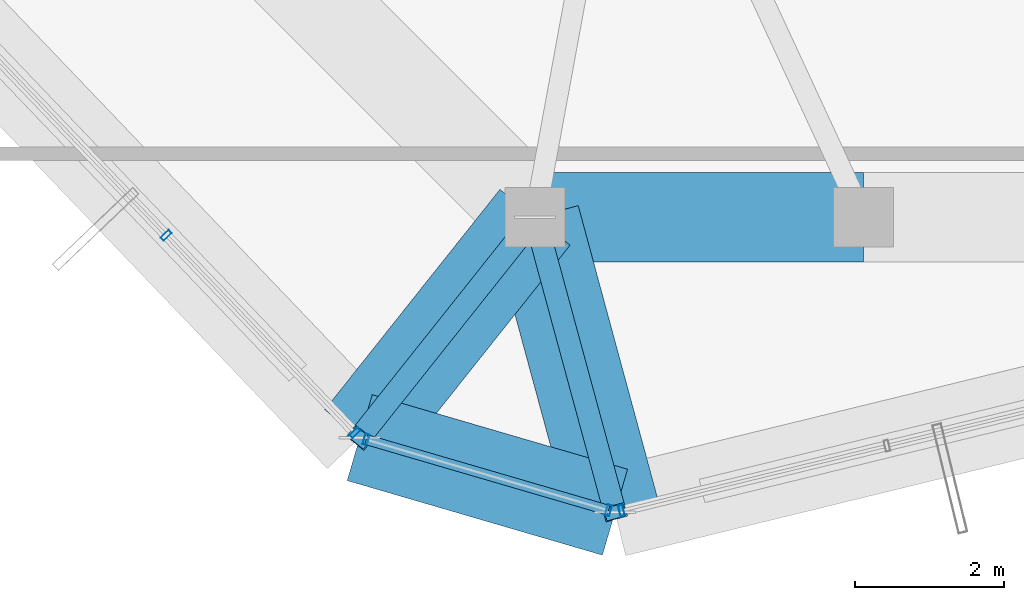
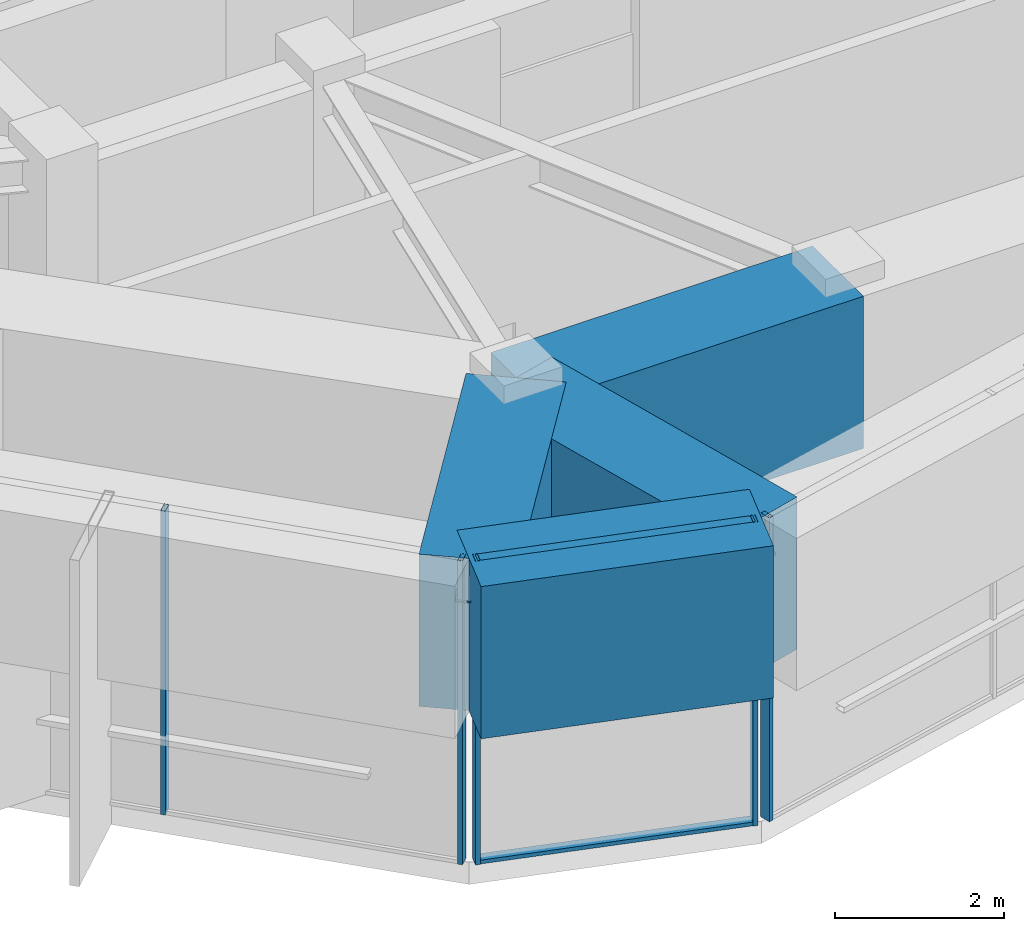
# One storey, part 4 of 39: 9 members, 4 beams, 3 elements without a shape of their own.
"""IFC4 building model written with IfcOpenShell, lengths in metres."""

import ifcopenshell
import ifcopenshell.guid

model = None  # the IFC model being written
_history = None  # IfcOwnerHistory: only IFC2X3 demands one
_inside = {}  # id of a spatial element -> (the spatial element, [elements in it])
_under = {}  # id of a project, library or spatial element -> (it, [spatial elements below it])
_declared = {}  # id of a project -> (the project, [libraries it declares])
_typed = {}  # id of a type object -> (the type object, [elements of that type])
_made_of = {}  # id of a material, layer set ... -> (it, [elements and type objects made of it])


def new_model(schema):
    """Start an empty IFC model of exactly this schema.

    Asked for "IFC4X3", IfcOpenShell would pick the latest addendum, in which some entities
    have other attributes; the version numbers below select the first issue.
    IFC2X3 requires an IfcOwnerHistory on every rooted entity: one is made here for all.
    """
    global model, _history
    if schema == "IFC4X3":
        model = ifcopenshell.file(schema_version=(4, 3, 0, 0))
    else:
        model = ifcopenshell.file(schema=schema)
    _inside.clear()
    _under.clear()
    _declared.clear()
    _typed.clear()
    _made_of.clear()
    _history = None
    if model.schema == "IFC2X3":
        org = make("IfcOrganization", Name="unknown")
        user = make(
            "IfcPersonAndOrganization",
            ThePerson=make("IfcPerson", FamilyName="unknown"),
            TheOrganization=org,
        )
        app = make(
            "IfcApplication",
            ApplicationDeveloper=org,
            Version="unknown",
            ApplicationFullName="unknown",
            ApplicationIdentifier="unknown",
        )
        _history = make(
            "IfcOwnerHistory",
            OwningUser=user,
            OwningApplication=app,
            ChangeAction="ADDED",
            CreationDate=0,
        )
    return model


def make(cls, **values):
    """One entity of the class cls with the attributes given. An attribute that is None is left unset."""
    return model.create_entity(
        cls, **{name: value for name, value in values.items() if value is not None}
    )


def rooted(cls, **values):
    """An entity with a GlobalId (a new one), such as an element, a storey or a relation."""
    return make(cls, GlobalId=ifcopenshell.guid.new(), OwnerHistory=_history, **values)


def si_unit(unit_type, name, prefix=None):
    """IfcSIUnit, for example si_unit("LENGTHUNIT", "METRE", prefix="MILLI")."""
    return make("IfcSIUnit", UnitType=unit_type, Prefix=prefix, Name=name)


def assignment(units):
    """IfcUnitAssignment: the units of a project."""
    return None if units is None else make("IfcUnitAssignment", Units=units)


def point(xyz):
    """IfcCartesianPoint."""
    return None if xyz is None else make("IfcCartesianPoint", Coordinates=xyz)


def direction(xyz):
    """IfcDirection."""
    return None if xyz is None else make("IfcDirection", DirectionRatios=xyz)


def frame(location, z_axis=None, x_axis=None):
    """IfcAxis2Placement3D, a coordinate frame: its origin and axes. An axis left out is left unset."""
    return make(
        "IfcAxis2Placement3D",
        Location=point(location),
        Axis=direction(z_axis),
        RefDirection=direction(x_axis),
    )


def frame_2d(location, x_axis=None):
    """IfcAxis2Placement2D, a coordinate frame in the plane: its origin and x axis."""
    return make(
        "IfcAxis2Placement2D", Location=point(location), RefDirection=direction(x_axis)
    )


def origin():
    """The frame at (0, 0, 0) with its axes left unset."""
    return frame((0.0, 0.0, 0.0))


def origin_2d():
    """The frame at (0, 0) in the plane with its x axis left unset."""
    return frame_2d((0.0, 0.0))


def place(relative_to, where):
    """IfcLocalPlacement: puts the frame where relative to a parent placement (None: the world)."""
    return make(
        "IfcLocalPlacement", PlacementRelTo=relative_to, RelativePlacement=where
    )


def context(
    kind, dimensions, precision=None, world=None, true_north=None, identifier=None
):
    """IfcGeometricRepresentationContext, for example the 3D "Model" context."""
    return make(
        "IfcGeometricRepresentationContext",
        ContextIdentifier=identifier,
        ContextType=kind,
        CoordinateSpaceDimension=dimensions,
        Precision=precision,
        WorldCoordinateSystem=world,
        TrueNorth=true_north,
    )


def subcontext(parent, identifier, kind, view, scale=None):
    """IfcGeometricRepresentationSubContext, for example "Body" below "Model"."""
    return make(
        "IfcGeometricRepresentationSubContext",
        ContextIdentifier=identifier,
        ContextType=kind,
        ParentContext=parent,
        TargetScale=scale,
        TargetView=view,
    )


def project(units=None, contexts=None):
    """IfcProject with its units and contexts."""
    return rooted(
        "IfcProject",
        Name="project",
        RepresentationContexts=contexts,
        UnitsInContext=assignment(units),
    )


def spatial(cls, under=None, at=None, **own):
    """A site, building, storey or space (cls), placed at a placement, below another one or the project."""
    s = rooted(cls, ObjectPlacement=at, **own)
    if under is not None:
        _under.setdefault(under.id(), (under, []))[1].append(s)
    return s


def profile(cls, at=None, kind="AREA", **sizes):
    """A parametric profile (cls). Its sizes go by their IFC names, for example OverallWidth=200.0."""
    return make(cls, ProfileType=kind, Position=at, **sizes)


def rectangle(**sizes):
    """IfcRectangleProfileDef."""
    return profile("IfcRectangleProfileDef", **sizes)


def hollow_rectangle(**sizes):
    """IfcRectangleHollowProfileDef."""
    return profile("IfcRectangleHollowProfileDef", **sizes)


def extrude(swept, where, along, depth):
    """IfcExtrudedAreaSolid: the profile swept, set in the frame where, extruded along a direction by depth."""
    return make(
        "IfcExtrudedAreaSolid",
        SweptArea=swept,
        Position=where,
        ExtrudedDirection=direction(along),
        Depth=depth,
    )


def shape(context_of_items, identifier, shape_type, items):
    """IfcShapeRepresentation: the items that make up one representation, for example the "Body"."""
    return make(
        "IfcShapeRepresentation",
        ContextOfItems=context_of_items,
        RepresentationIdentifier=identifier,
        RepresentationType=shape_type,
        Items=items,
    )


def source(mapping_origin, context_of_items, identifier, shape_type, items):
    """IfcRepresentationMap: a shape defined once, which mapped items show again and again."""
    return make(
        "IfcRepresentationMap",
        MappingOrigin=mapping_origin,
        MappedRepresentation=shape(context_of_items, identifier, shape_type, items),
    )


def transform(
    local_origin,
    x_axis=None,
    y_axis=None,
    z_axis=None,
    scale=None,
    scale2=None,
    scale3=None,
    uniform=True,
):
    """IfcCartesianTransformationOperator3D, or its non-uniform kind. x_axis, y_axis, z_axis: its Axis1, 2, 3."""
    if uniform:
        return make(
            "IfcCartesianTransformationOperator3D",
            Axis1=direction(x_axis),
            Axis2=direction(y_axis),
            LocalOrigin=point(local_origin),
            Scale=scale,
            Axis3=direction(z_axis),
        )
    return make(
        "IfcCartesianTransformationOperator3DnonUniform",
        Axis1=direction(x_axis),
        Axis2=direction(y_axis),
        LocalOrigin=point(local_origin),
        Scale=scale,
        Axis3=direction(z_axis),
        Scale2=scale2,
        Scale3=scale3,
    )


def mapped(mapping_source, mapping_target):
    """IfcMappedItem: shows the shape of a source again, moved by a transform."""
    return make(
        "IfcMappedItem", MappingSource=mapping_source, MappingTarget=mapping_target
    )


def material(Name=None, Category=None):
    """IfcMaterial."""
    return make("IfcMaterial", Name=Name, Category=Category)


def layer(
    of_material, thickness, ventilated=None, Name=None, Category=None, Priority=None
):
    """IfcMaterialLayer: one layer of a wall or slab, of a material (None: an air gap)."""
    return make(
        "IfcMaterialLayer",
        Material=of_material,
        LayerThickness=thickness,
        IsVentilated=ventilated,
        Name=Name,
        Category=Category,
        Priority=Priority,
    )


def layer_set(layers, Name=None):
    """IfcMaterialLayerSet."""
    return make("IfcMaterialLayerSet", MaterialLayers=layers, LayerSetName=Name)


def material_profile(
    of_material, cross_section, Name=None, Category=None, Priority=None
):
    """IfcMaterialProfile: a cross section and its material."""
    return make(
        "IfcMaterialProfile",
        Name=Name,
        Material=of_material,
        Profile=cross_section,
        Priority=Priority,
        Category=Category,
    )


def profile_set(profiles, Name=None, composite=None):
    """IfcMaterialProfileSet."""
    return make(
        "IfcMaterialProfileSet",
        Name=Name,
        MaterialProfiles=profiles,
        CompositeProfile=composite,
    )


def made_of(thing, what):
    """Note that an element or type object is made of a material, layer set ...; save() writes the relation."""
    if what is not None:
        _made_of.setdefault(what.id(), (what, []))[1].append(thing)
    return thing


def type_object(cls, material=None, **own):
    """A type object (cls), such as IfcWallType, which elements share."""
    return made_of(rooted(cls, **own), material)


def element(
    cls,
    number,
    at=None,
    inside=None,
    cuts=None,
    type_object=None,
    material=None,
    context=None,
    identifier="Body",
    shape_type=None,
    held_by="IfcProductDefinitionShape",
    body=None,
    shapes=None,
    **own,
):
    """One element of the class cls, such as IfcWall. Its Tag is "e" and its number.

    at: its placement. inside: the storey or other place that contains it. cuts: it is an
    opening in that element (IfcRelVoidsElement). A single representation is given by context,
    identifier, shape_type and body (its items); several are given by shapes. held_by: the class
    of the entity that holds the representations. save() writes the other relations.
    """
    e = rooted(cls, Tag="e%d" % number, ObjectPlacement=at, **own)
    if body is not None:
        shapes = [shape(context, identifier, shape_type, body)]
    if shapes is not None:
        e.Representation = make(held_by, Representations=shapes)
    if inside is not None:
        _inside.setdefault(inside.id(), (inside, []))[1].append(e)
    if cuts is not None:
        rooted(
            "IfcRelVoidsElement", RelatingBuildingElement=cuts, RelatedOpeningElement=e
        )
    if type_object is not None:
        _typed.setdefault(type_object.id(), (type_object, []))[1].append(e)
    return made_of(e, material)


def aggregate(whole, parts):
    """IfcRelAggregates: a whole, such as a stair, and the parts it consists of."""
    return rooted("IfcRelAggregates", RelatingObject=whole, RelatedObjects=parts)


def save(model, path):
    """Write the relations noted so far, then the file.

    IfcRelAggregates (storeys below a building ...), IfcRelContainedInSpatialStructure (elements
    in a storey), IfcRelDefinesByType, IfcRelAssociatesMaterial and IfcRelDeclares: one each for
    every whole, place, type object, material and project.
    """
    for whole, parts in _under.values():
        aggregate(whole, parts)
    for where, things in _inside.values():
        rooted(
            "IfcRelContainedInSpatialStructure",
            RelatedElements=things,
            RelatingStructure=where,
        )
    for kind, things in _typed.values():
        rooted("IfcRelDefinesByType", RelatedObjects=things, RelatingType=kind)
    for what, things in _made_of.values():
        rooted("IfcRelAssociatesMaterial", RelatedObjects=things, RelatingMaterial=what)
    for by, libraries in _declared.values():
        rooted("IfcRelDeclares", RelatingContext=by, RelatedDefinitions=libraries)
    model.write(path)


model = new_model("IFC4")

# Units and contexts
model_context = context("Model", 3, precision=1e-05, world=origin(), true_north=direction((0.0, 1.0)))
body_context = subcontext(model_context, "Body", "Model", "MODEL_VIEW")
ifc_project = project(units=[si_unit("LENGTHUNIT", "METRE"), si_unit("AREAUNIT", "SQUARE_METRE"), si_unit("VOLUMEUNIT", "CUBIC_METRE"), si_unit("PLANEANGLEUNIT", "RADIAN"), si_unit("MASSUNIT", "GRAM", prefix="KILO")], contexts=[model_context])

# Site, building, storey
site_placement = place(None, origin())
site = spatial("IfcSite", under=ifc_project, at=site_placement, CompositionType="ELEMENT")
building_placement = place(site_placement, origin())
building = spatial("IfcBuilding", under=site, at=building_placement, Name="Veraguas Prism Commons", CompositionType="ELEMENT")
storey_placement = place(building_placement, frame((0.0, 0.0, 264.25)))
storey = spatial("IfcBuildingStorey", under=building, at=storey_placement, Name="L75", CompositionType="ELEMENT", Elevation=264.25)

# Beams
ifc_material_1 = material(Name="Concrete C50/60", Category="concrete")
ifc_material_profile_1 = material_profile(ifc_material_1, rectangle(XDim=1.199951171875, YDim=2.199951171875, at=origin_2d()), Name="RC1200X2200")
ifc_profile_set_1 = profile_set([ifc_material_profile_1], Name="Concrete C50/60")
beam_type = type_object("IfcBeamType", Name="Podium Transfer Girder RC 1200x2200", PredefinedType="BEAM", material=ifc_profile_set_1)
beam_1_placement = place(storey_placement, frame((19.60009765625, 10.199951171875, 3.2900390625), z_axis=(1.0, 0.0, 0.0), x_axis=(0.0, 1.0, 0.0)))
element("IfcBeam", 1, at=beam_1_placement, inside=storey, type_object=beam_type, Name="Perimeter Spandrel Beam L75-SP10", PredefinedType="BEAM", context=body_context, shape_type="SweptSolid", body=[
    extrude(rectangle(XDim=1.199951171875, YDim=2.199951171875, at=origin_2d()), origin(), (0.0, 0.0, 1.0), 4.39990234375),
])
beam_2_placement = place(storey_placement, frame((19.60009765625, 10.199951171875, 3.2900390625), z_axis=(-0.622521763744, -0.782602487643, 0.0), x_axis=(0.782602487643, -0.622521763744, 0.0)))
element("IfcBeam", 2, at=beam_2_placement, inside=storey, type_object=beam_type, Name="Crown Rib Support Girder L75-09", PredefinedType="BEAM", context=body_context, shape_type="SweptSolid", body=[
    extrude(rectangle(XDim=1.199951171875, YDim=2.199951171875, at=origin_2d()), origin(), (0.0, 0.0, 1.0), 3.771484375),
])
beam_3_placement = place(storey_placement, frame((17.252197265625, 7.248291015625, 3.2900390625), z_axis=(0.959914757728, -0.280292093889, 0.0), x_axis=(0.280292093889, 0.959914757728, 0.0)))
element("IfcBeam", 3, at=beam_3_placement, inside=storey, type_object=beam_type, Name="Crown Base Ring Beam L75-09", PredefinedType="BEAM", context=body_context, shape_type="SweptSolid", body=[
    extrude(rectangle(XDim=1.199951171875, YDim=2.199951171875, at=origin_2d()), origin(), (0.0, 0.0, 1.0), 3.5625),
])
beam_4_placement = place(storey_placement, frame((19.60009765625, 10.199951171875, 3.2900390625), z_axis=(0.261855392899, -0.96510712007, 0.0), x_axis=(0.96510712007, 0.261855392899, 0.0)))
element("IfcBeam", 4, at=beam_4_placement, inside=storey, type_object=beam_type, Name="Crown Rib Support Girder L75-10", PredefinedType="BEAM", context=body_context, shape_type="SweptSolid", body=[
    extrude(rectangle(XDim=1.199951171875, YDim=2.199951171875, at=origin_2d()), origin(), (0.0, 0.0, 1.0), 4.093017578125),
])

# Members
ifc_material_2 = material(Name="Steel ASTM A500 Grade C", Category="steel")
ifc_material_profile_2 = material_profile(ifc_material_2, hollow_rectangle(XDim=0.300048828125, YDim=0.300048828125, WallThickness=0.01611328125, at=origin_2d()), Name="HSS300X300X16")
ifc_profile_set_2 = profile_set([ifc_material_profile_2], Name="Steel ASTM A500 Grade C")
member_type_1 = type_object("IfcMemberType", Name="Sky Pool Bracket Strut HSS 300x300x16", PredefinedType="STRUT", material=ifc_profile_set_2)
member_1_placement = place(storey_placement, frame((19.60009765625, 10.199951171875, 0.60009765625), z_axis=(-0.466056126189, -0.585901899306, 0.662955995245), x_axis=(0.782602487643, -0.622521763744, 0.0)))
element("IfcMember", 5, at=member_1_placement, inside=storey, type_object=member_type_1, Name="Crown Base Raker Strut L75-09", PredefinedType="STRUT", context=body_context, shape_type="SweptSolid", body=[
    extrude(hollow_rectangle(XDim=0.300048828125, YDim=0.300048828125, WallThickness=0.01611328125, at=origin_2d()), origin(), (0.0, 0.0, 1.0), 5.037841796875),
])
member_2_placement = place(storey_placement, frame((19.60009765625, 10.199951171875, 0.60009765625), z_axis=(0.202882980065, -0.747755493726, 0.632218489133), x_axis=(0.96510712007, 0.261855392899, 0.0)))
element("IfcMember", 6, at=member_2_placement, inside=storey, type_object=member_type_1, Name="Crown Base Raker Strut L75-10", PredefinedType="STRUT", context=body_context, shape_type="SweptSolid", body=[
    extrude(hollow_rectangle(XDim=0.300048828125, YDim=0.300048828125, WallThickness=0.01611328125, at=origin_2d()), origin(), (0.0, 0.0, 1.0), 5.28271484375),
])

# Curtain wall, members
ifc_material_3 = material(Name="Anodised aluminium EN AW-6063 T6", Category="aluminium")
ifc_layer = layer(ifc_material_3, 0.14990234375, Name="Unitised Flush Curtain Wall Zone 4", Category="aluminium")
ifc_layer_set = layer_set([ifc_layer], Name="Anodised aluminium EN AW-6063 T6")
curtain_wall_type = type_object("IfcCurtainWallType", Name="Unitised Flush Curtain Wall Zone 4", PredefinedType="NOTDEFINED", material=ifc_layer_set)
curtain_wall_1_placement = place(storey_placement, origin())
curtain_wall_1 = element("IfcCurtainWall", 7, at=curtain_wall_1_placement, inside=storey, type_object=curtain_wall_type, Name="Chamfer Curtain Wall L75-C5", PredefinedType="NOTDEFINED")
ifc_material_profile_3 = material_profile(ifc_material_3, hollow_rectangle(XDim=0.054931640625, YDim=0.135009765625, WallThickness=0.0029296875, at=origin_2d()), Name="AL55X135X3")
ifc_profile_set_3 = profile_set([ifc_material_profile_3], Name="Anodised aluminium EN AW-6063 T6")
member_type_2 = type_object("IfcMemberType", Name="Curtain Wall Transom Standard AL 55x135x3", PredefinedType="USERDEFINED", material=ifc_profile_set_3)
shared_shape_1 = source(origin(), body_context, "Body", "SweptSolid", [
    extrude(hollow_rectangle(XDim=0.054931640625, YDim=0.135009765625, WallThickness=0.0029296875, at=origin_2d()), origin(), (0.0, 0.0, 1.0), 3.382568359375),
])
member_3_placement = place(storey_placement, frame((17.338623046875, 7.22314453125, 0.027587890625), z_axis=(0.959900506508, -0.280340895351, 0.0), x_axis=(0.0, 0.0, 1.0)))
member_3 = element("IfcMember", 8, at=member_3_placement, type_object=member_type_2, Name="CW-Z4 Transom 1", ObjectType="TRANSOM", PredefinedType="USERDEFINED", context=body_context, shape_type="MappedRepresentation", body=[
    mapped(shared_shape_1, transform((0.0, 0.0, 0.0), scale=1.0)),
])
member_4_placement = place(storey_placement, frame((17.338623046875, 7.22314453125, 4.362548828125), z_axis=(0.959900506508, -0.280340895351, 0.0), x_axis=(0.0, 0.0, 1.0)))
member_4 = element("IfcMember", 9, at=member_4_placement, type_object=member_type_2, Name="CW-Z4 Transom 2", ObjectType="TRANSOM", PredefinedType="USERDEFINED", context=body_context, shape_type="MappedRepresentation", body=[
    mapped(shared_shape_1, transform((0.0, 0.0, 0.0), scale=1.0)),
])

curtain_wall_2_placement = place(storey_placement, origin())
curtain_wall_2 = element("IfcCurtainWall", 10, at=curtain_wall_2_placement, inside=storey, type_object=curtain_wall_type, Name="Tower Facade Curtain Wall L75-F4", PredefinedType="NOTDEFINED")
ifc_material_profile_4 = material_profile(ifc_material_3, hollow_rectangle(XDim=0.06005859375, YDim=0.14990234375, WallThickness=0.0029296875, at=origin_2d()), Name="AL60X150X3")
ifc_profile_set_4 = profile_set([ifc_material_profile_4], Name="Anodised aluminium EN AW-6063 T6")
member_type_3 = type_object("IfcMemberType", Name="Curtain Wall Mullion Upper AL 60x150x3", PredefinedType="MULLION", material=ifc_profile_set_4)
shared_shape_2 = source(origin(), body_context, "Body", "SweptSolid", [
    extrude(hollow_rectangle(XDim=0.06005859375, YDim=0.14990234375, WallThickness=0.0029296875, at=origin_2d()), origin(), (0.0, 0.0, 1.0), 4.389892578125),
])
member_5_placement = place(storey_placement, frame((14.659423828125, 9.959716796875, 0.0), z_axis=(0.0, 0.0, 1.0), x_axis=(0.691134732122, -0.722725938412, 0.0)))
member_5 = element("IfcMember", 11, at=member_5_placement, type_object=member_type_3, Name="CW-Z4 Mullion 4", PredefinedType="MULLION", context=body_context, shape_type="MappedRepresentation", body=[
    mapped(shared_shape_2, transform((0.0, 0.0, 0.0), scale=1.0)),
])
member_6_placement = place(storey_placement, frame((17.18994140625, 7.3134765625, 0.0), z_axis=(0.0, 0.0, 1.0), x_axis=(0.691134732122, -0.722725938412, 0.0)))
member_6 = element("IfcMember", 12, at=member_6_placement, type_object=member_type_3, Name="CW-Z4 Mullion 5", PredefinedType="MULLION", context=body_context, shape_type="MappedRepresentation", body=[
    mapped(shared_shape_2, transform((0.0, 0.0, 0.0), scale=1.0)),
])
aggregate(curtain_wall_2, [member_5, member_6])

# Curtain wall, member
curtain_wall_3_placement = place(storey_placement, origin())
curtain_wall_3 = element("IfcCurtainWall", 13, at=curtain_wall_3_placement, inside=storey, type_object=curtain_wall_type, Name="Tower Facade Curtain Wall L75-F5", PredefinedType="NOTDEFINED")
member_7_placement = place(storey_placement, frame((20.75927734375, 6.27099609375, 0.0), z_axis=(0.0, 0.0, 1.0), x_axis=(0.97146556079, 0.237180657305, 0.0)))
member_7 = element("IfcMember", 14, at=member_7_placement, type_object=member_type_3, Name="CW-Z4 Mullion 1", PredefinedType="MULLION", context=body_context, shape_type="MappedRepresentation", body=[
    mapped(shared_shape_2, transform((0.0, 0.0, 0.0), scale=1.0)),
])
aggregate(curtain_wall_3, [member_7])

# Member
member_8_placement = place(storey_placement, frame((17.338623046875, 7.22314453125, 0.0), z_axis=(0.0, 0.0, 1.0), x_axis=(0.959905161723, -0.280324955183, 0.0)))
member_8 = element("IfcMember", 15, at=member_8_placement, type_object=member_type_3, Name="CW-Z4 Mullion 1", PredefinedType="MULLION", context=body_context, shape_type="MappedRepresentation", body=[
    mapped(shared_shape_2, transform((0.0, 0.0, 0.0), scale=1.0)),
])

member_9_placement = place(storey_placement, frame((20.58544921875, 6.27490234375, 0.0), z_axis=(0.0, 0.0, 1.0), x_axis=(0.959905161723, -0.280324955183, 0.0)))
member_9 = element("IfcMember", 16, at=member_9_placement, type_object=member_type_3, Name="CW-Z4 Mullion 2", PredefinedType="MULLION", context=body_context, shape_type="MappedRepresentation", body=[
    mapped(shared_shape_2, transform((0.0, 0.0, 0.0), scale=1.0)),
])

aggregate(curtain_wall_1, [member_8, member_9, member_3, member_4])

save(model, "model.ifc")
